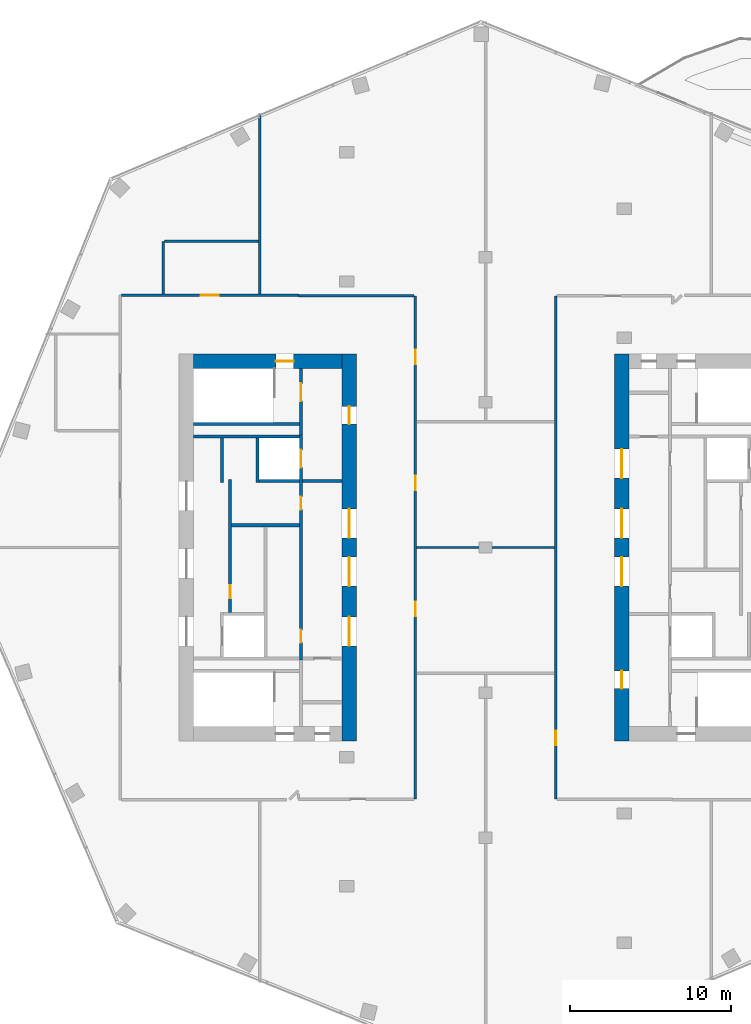
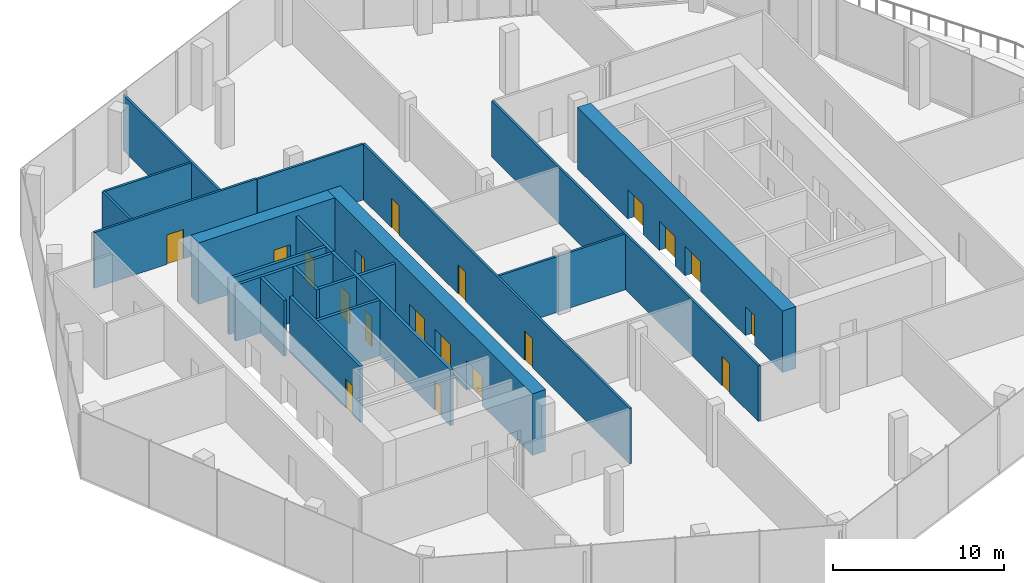
# One storey, part 13 of 15: 21 walls, 19 doors, 19 openings.
"""IFC4 building model written with IfcOpenShell, lengths in metres."""

from ifc_helpers import new_model, si_unit, direction, frame, frame_2d, origin, place, context, subcontext, project, spatial, rectangle, extrude, material, layer, layer_set, type_object, element, fill, save


model = new_model("IFC4")

# Units and contexts
model_context = context("Model", 3, precision=1e-05, world=origin(), true_north=direction((0.0, 1.0)))
body_context = subcontext(model_context, "Body", "Model", "MODEL_VIEW")
ifc_project = project(units=[si_unit("LENGTHUNIT", "METRE"), si_unit("AREAUNIT", "SQUARE_METRE"), si_unit("VOLUMEUNIT", "CUBIC_METRE"), si_unit("PLANEANGLEUNIT", "RADIAN"), si_unit("MASSUNIT", "GRAM", prefix="KILO")], contexts=[model_context])

# Site, building, storey
site_placement = place(None, origin())
site = spatial("IfcSite", under=ifc_project, at=site_placement, CompositionType="ELEMENT")
building_placement = place(site_placement, origin())
building = spatial("IfcBuilding", under=site, at=building_placement, Name="Orlundy Tower", CompositionType="ELEMENT")
storey_placement = place(building_placement, frame((0.0, 0.0, 299.89990234375)))
storey = spatial("IfcBuildingStorey", under=building, at=storey_placement, Name="L80", CompositionType="ELEMENT", Elevation=299.89990234375)

# Wall, opening, door
ifc_material_1 = material(Name="Concrete C50/60", Category="concrete")
ifc_layer_1 = layer(ifc_material_1, 0.89990234375)
ifc_layer_set_1 = layer_set([ifc_layer_1], Name="CORE WALL 900 C50/60")
wall_type_1 = type_object("IfcWallType", Name="CORE WALL 900 C50/60", PredefinedType="SHEAR", material=ifc_layer_set_1)
wall_1_placement = place(storey_placement, frame((-18.10009765625, 11.550048828125, 0.0), z_axis=(0.0, 0.0, 1.0), x_axis=(1.0, 0.0, 0.0)))
wall_1 = element("IfcWall", 1, at=wall_1_placement, inside=storey, type_object=wall_type_1, Name="Core wall W-N L80", PredefinedType="SHEAR", context=body_context, shape_type="SweptSolid", body=[
    extrude(rectangle(XDim=9.2001953125, YDim=0.89990234375, at=frame_2d((4.60009765625, 0.0))), origin(), (0.0, 0.0, 1.0), 4.400146484375),
])
opening_1_placement = place(wall_1_placement, frame((5.10009765625, 0.0, 0.0)))
opening_1 = element("IfcOpeningElement", 2, at=opening_1_placement, cuts=wall_1, Name="Opening 62013", PredefinedType="OPENING", context=body_context, shape_type="SweptSolid", body=[
    extrude(rectangle(XDim=1.10009765625, YDim=2.10009765625, at=frame_2d((0.550048828125, 1.050048828125))), frame((0.0, 0.4599609375, 0.0), z_axis=(0.0, -1.0, 0.0), x_axis=(1.0, 0.0, 0.0)), (0.0, 0.0, 1.0), 0.919921875),
])
ifc_material_2 = material(Name="Steel door set", Category="steel")
door_type_1 = type_object("IfcDoorType", Name="Stair Door 1100x2100", OperationType="SINGLE_SWING_LEFT", PredefinedType="DOOR", material=ifc_material_2)
door_1_placement = place(opening_1_placement, origin())
door_1 = element("IfcDoor", 3, at=door_1_placement, inside=storey, type_object=door_type_1, Name="Stair door 62013", OperationType="SINGLE_SWING_RIGHT", OverallHeight=2.10009765625, OverallWidth=1.10009765625, PredefinedType="DOOR", context=body_context, shape_type="SweptSolid", body=[
    extrude(rectangle(XDim=1.10009765625, YDim=2.10009765625, at=frame_2d((0.550048828125, 1.050048828125))), frame((0.0, 0.02490234375, 0.0), z_axis=(0.0, -1.0, 0.0), x_axis=(1.0, 0.0, 0.0)), (0.0, 0.0, 1.0), 0.050048828125),
])
fill(opening_1, door_1)

# Wall, openings, doors
wall_2_placement = place(storey_placement, frame((-8.449951171875, -12.0, 0.0), z_axis=(0.0, 0.0, 1.0), x_axis=(0.0, 1.0, 0.0)))
wall_2 = element("IfcWall", 4, at=wall_2_placement, inside=storey, type_object=wall_type_1, Name="Core wall W-E L80", PredefinedType="SHEAR", context=body_context, shape_type="SweptSolid", body=[
    extrude(rectangle(XDim=24.0, YDim=0.89990234375, at=frame_2d((12.0, 0.0))), origin(), (0.0, 0.0, 1.0), 4.400146484375),
])
opening_2_placement = place(wall_2_placement, frame((9.60009765625, 0.0, 0.0)))
opening_2 = element("IfcOpeningElement", 5, at=opening_2_placement, cuts=wall_2, Name="Opening 62006", PredefinedType="OPENING", context=body_context, shape_type="SweptSolid", body=[
    extrude(rectangle(XDim=1.800048828125, YDim=2.10009765625, at=frame_2d((0.89990234375, 1.050048828125))), frame((0.0, 0.4599609375, 0.0), z_axis=(0.0, -1.0, 0.0), x_axis=(1.0, 0.0, 0.0)), (0.0, 0.0, 1.0), 0.919921875),
])
opening_3_placement = place(wall_2_placement, frame((5.89990234375, 0.0, 0.0)))
opening_3 = element("IfcOpeningElement", 6, at=opening_3_placement, cuts=wall_2, Name="Opening 62010", PredefinedType="OPENING", context=body_context, shape_type="SweptSolid", body=[
    extrude(rectangle(XDim=1.800048828125, YDim=2.10009765625, at=frame_2d((0.89990234375, 1.050048828125))), frame((0.0, 0.4599609375, 0.0), z_axis=(0.0, -1.0, 0.0), x_axis=(1.0, 0.0, 0.0)), (0.0, 0.0, 1.0), 0.919921875),
])
opening_4_placement = place(wall_2_placement, frame((12.60009765625, 0.0, 0.0)))
opening_4 = element("IfcOpeningElement", 7, at=opening_4_placement, cuts=wall_2, Name="Opening 62011", PredefinedType="OPENING", context=body_context, shape_type="SweptSolid", body=[
    extrude(rectangle(XDim=1.800048828125, YDim=2.10009765625, at=frame_2d((0.89990234375, 1.050048828125))), frame((0.0, 0.4599609375, 0.0), z_axis=(0.0, -1.0, 0.0), x_axis=(1.0, 0.0, 0.0)), (0.0, 0.0, 1.0), 0.919921875),
])
opening_5_placement = place(wall_2_placement, frame((19.64990234375, 0.0, 0.0)))
opening_5 = element("IfcOpeningElement", 8, at=opening_5_placement, cuts=wall_2, Name="Opening 62012", PredefinedType="OPENING", context=body_context, shape_type="SweptSolid", body=[
    extrude(rectangle(XDim=1.10009765625, YDim=2.10009765625, at=frame_2d((0.550048828125, 1.050048828125))), frame((0.0, 0.4599609375, 0.0), z_axis=(0.0, -1.0, 0.0), x_axis=(1.0, 0.0, 0.0)), (0.0, 0.0, 1.0), 0.919921875),
])
ifc_material_3 = material(Name="Steel door set", Category="steel")
door_type_2 = type_object("IfcDoorType", Name="Fire-fighting Lobby Door 1100x2100", OperationType="SINGLE_SWING_LEFT", PredefinedType="DOOR", material=ifc_material_3)
door_2_placement = place(opening_5_placement, origin())
door_2 = element("IfcDoor", 9, at=door_2_placement, inside=storey, type_object=door_type_2, Name="Fire-fighting lobby door 62012", OperationType="SINGLE_SWING_RIGHT", OverallHeight=2.10009765625, OverallWidth=1.10009765625, PredefinedType="DOOR", context=body_context, shape_type="SweptSolid", body=[
    extrude(rectangle(XDim=1.10009765625, YDim=2.10009765625, at=frame_2d((0.550048828125, 1.050048828125))), frame((0.0, 0.02490234375, 0.0), z_axis=(0.0, -1.0, 0.0), x_axis=(1.0, 0.0, 0.0)), (0.0, 0.0, 1.0), 0.050048828125),
])
fill(opening_5, door_2)
ifc_material_4 = material(Name="Timber door set", Category="wood")
door_type_3 = type_object("IfcDoorType", Name="Lobby Door 1800x2100", OperationType="DOUBLE_DOOR_DOUBLE_SWING", PredefinedType="DOOR", material=ifc_material_4)
door_3_placement = place(opening_2_placement, origin())
door_3 = element("IfcDoor", 10, at=door_3_placement, inside=storey, type_object=door_type_3, Name="Lift lobby door 62006", OperationType="SINGLE_SWING_LEFT", OverallHeight=2.10009765625, OverallWidth=1.800048828125, PredefinedType="DOOR", context=body_context, shape_type="SweptSolid", body=[
    extrude(rectangle(XDim=1.800048828125, YDim=2.10009765625, at=frame_2d((0.89990234375, 1.050048828125))), frame((0.0, 0.02490234375, 0.0), z_axis=(0.0, -1.0, 0.0), x_axis=(1.0, 0.0, 0.0)), (0.0, 0.0, 1.0), 0.050048828125),
])
fill(opening_2, door_3)
door_4_placement = place(opening_3_placement, origin())
door_4 = element("IfcDoor", 11, at=door_4_placement, inside=storey, type_object=door_type_3, Name="Lift lobby door 62010", OperationType="SINGLE_SWING_LEFT", OverallHeight=2.10009765625, OverallWidth=1.800048828125, PredefinedType="DOOR", context=body_context, shape_type="SweptSolid", body=[
    extrude(rectangle(XDim=1.800048828125, YDim=2.10009765625, at=frame_2d((0.89990234375, 1.050048828125))), frame((0.0, 0.02490234375, 0.0), z_axis=(0.0, -1.0, 0.0), x_axis=(1.0, 0.0, 0.0)), (0.0, 0.0, 1.0), 0.050048828125),
])
fill(opening_3, door_4)
door_5_placement = place(opening_4_placement, origin())
door_5 = element("IfcDoor", 12, at=door_5_placement, inside=storey, type_object=door_type_3, Name="Lift lobby door 62011", OperationType="SINGLE_SWING_RIGHT", OverallHeight=2.10009765625, OverallWidth=1.800048828125, PredefinedType="DOOR", context=body_context, shape_type="SweptSolid", body=[
    extrude(rectangle(XDim=1.800048828125, YDim=2.10009765625, at=frame_2d((0.89990234375, 1.050048828125))), frame((0.0, 0.02490234375, 0.0), z_axis=(0.0, -1.0, 0.0), x_axis=(1.0, 0.0, 0.0)), (0.0, 0.0, 1.0), 0.050048828125),
])
fill(opening_4, door_5)

wall_3_placement = place(storey_placement, frame((8.449951171875, -12.0, 0.0), z_axis=(0.0, 0.0, 1.0), x_axis=(0.0, 1.0, 0.0)))
wall_3 = element("IfcWall", 13, at=wall_3_placement, inside=storey, type_object=wall_type_1, Name="Core wall E-W L80", PredefinedType="SHEAR", context=body_context, shape_type="SweptSolid", body=[
    extrude(rectangle(XDim=24.0, YDim=0.89990234375, at=frame_2d((12.0, 0.0))), origin(), (0.0, 0.0, 1.0), 4.400146484375),
])
opening_6_placement = place(wall_3_placement, frame((12.60009765625, 0.0, 0.0)))
opening_6 = element("IfcOpeningElement", 14, at=opening_6_placement, cuts=wall_3, Name="Opening 62055", PredefinedType="OPENING", context=body_context, shape_type="SweptSolid", body=[
    extrude(rectangle(XDim=1.800048828125, YDim=2.10009765625, at=frame_2d((0.89990234375, 1.050048828125))), frame((0.0, 0.4599609375, 0.0), z_axis=(0.0, -1.0, 0.0), x_axis=(1.0, 0.0, 0.0)), (0.0, 0.0, 1.0), 0.919921875),
])
opening_7_placement = place(wall_3_placement, frame((16.300048828125, 0.0, 0.0)))
opening_7 = element("IfcOpeningElement", 15, at=opening_7_placement, cuts=wall_3, Name="Opening 62059", PredefinedType="OPENING", context=body_context, shape_type="SweptSolid", body=[
    extrude(rectangle(XDim=1.800048828125, YDim=2.10009765625, at=frame_2d((0.89990234375, 1.050048828125))), frame((0.0, 0.4599609375, 0.0), z_axis=(0.0, -1.0, 0.0), x_axis=(1.0, 0.0, 0.0)), (0.0, 0.0, 1.0), 0.919921875),
])
opening_8_placement = place(wall_3_placement, frame((9.60009765625, 0.0, 0.0)))
opening_8 = element("IfcOpeningElement", 16, at=opening_8_placement, cuts=wall_3, Name="Opening 62060", PredefinedType="OPENING", context=body_context, shape_type="SweptSolid", body=[
    extrude(rectangle(XDim=1.800048828125, YDim=2.10009765625, at=frame_2d((0.89990234375, 1.050048828125))), frame((0.0, 0.4599609375, 0.0), z_axis=(0.0, -1.0, 0.0), x_axis=(1.0, 0.0, 0.0)), (0.0, 0.0, 1.0), 0.919921875),
])
opening_9_placement = place(wall_3_placement, frame((3.25, 0.0, 0.0)))
opening_9 = element("IfcOpeningElement", 17, at=opening_9_placement, cuts=wall_3, Name="Opening 62061", PredefinedType="OPENING", context=body_context, shape_type="SweptSolid", body=[
    extrude(rectangle(XDim=1.10009765625, YDim=2.10009765625, at=frame_2d((0.550048828125, 1.050048828125))), frame((0.0, 0.4599609375, 0.0), z_axis=(0.0, -1.0, 0.0), x_axis=(1.0, 0.0, 0.0)), (0.0, 0.0, 1.0), 0.919921875),
])
door_6_placement = place(opening_9_placement, origin())
door_6 = element("IfcDoor", 18, at=door_6_placement, inside=storey, type_object=door_type_2, Name="Fire-fighting lobby door 62061", OperationType="SINGLE_SWING_LEFT", OverallHeight=2.10009765625, OverallWidth=1.10009765625, PredefinedType="DOOR", context=body_context, shape_type="SweptSolid", body=[
    extrude(rectangle(XDim=1.10009765625, YDim=2.10009765625, at=frame_2d((0.550048828125, 1.050048828125))), frame((0.0, 0.02490234375, 0.0), z_axis=(0.0, -1.0, 0.0), x_axis=(1.0, 0.0, 0.0)), (0.0, 0.0, 1.0), 0.050048828125),
])
fill(opening_9, door_6)
door_7_placement = place(opening_6_placement, origin())
door_7 = element("IfcDoor", 19, at=door_7_placement, inside=storey, type_object=door_type_3, Name="Lift lobby door 62055", OperationType="SINGLE_SWING_RIGHT", OverallHeight=2.10009765625, OverallWidth=1.800048828125, PredefinedType="DOOR", context=body_context, shape_type="SweptSolid", body=[
    extrude(rectangle(XDim=1.800048828125, YDim=2.10009765625, at=frame_2d((0.89990234375, 1.050048828125))), frame((0.0, 0.02490234375, 0.0), z_axis=(0.0, -1.0, 0.0), x_axis=(1.0, 0.0, 0.0)), (0.0, 0.0, 1.0), 0.050048828125),
])
fill(opening_6, door_7)
door_8_placement = place(opening_7_placement, origin())
door_8 = element("IfcDoor", 20, at=door_8_placement, inside=storey, type_object=door_type_3, Name="Lift lobby door 62059", OperationType="SINGLE_SWING_RIGHT", OverallHeight=2.10009765625, OverallWidth=1.800048828125, PredefinedType="DOOR", context=body_context, shape_type="SweptSolid", body=[
    extrude(rectangle(XDim=1.800048828125, YDim=2.10009765625, at=frame_2d((0.89990234375, 1.050048828125))), frame((0.0, 0.02490234375, 0.0), z_axis=(0.0, -1.0, 0.0), x_axis=(1.0, 0.0, 0.0)), (0.0, 0.0, 1.0), 0.050048828125),
])
fill(opening_7, door_8)
door_9_placement = place(opening_8_placement, origin())
door_9 = element("IfcDoor", 21, at=door_9_placement, inside=storey, type_object=door_type_3, Name="Lift lobby door 62060", OperationType="SINGLE_SWING_LEFT", OverallHeight=2.10009765625, OverallWidth=1.800048828125, PredefinedType="DOOR", context=body_context, shape_type="SweptSolid", body=[
    extrude(rectangle(XDim=1.800048828125, YDim=2.10009765625, at=frame_2d((0.89990234375, 1.050048828125))), frame((0.0, 0.02490234375, 0.0), z_axis=(0.0, -1.0, 0.0), x_axis=(1.0, 0.0, 0.0)), (0.0, 0.0, 1.0), 0.050048828125),
])
fill(opening_8, door_9)

# Walls
ifc_material_5 = material(Name="Blockwork shaft wall", Category="masonry")
ifc_layer_2 = layer(ifc_material_5, 0.14990234375)
ifc_layer_set_2 = layer_set([ifc_layer_2], Name="Floor shaft wall 150")
wall_type_2 = type_object("IfcWallType", Name="Floor shaft wall 150", PredefinedType="PARTITIONING", material=ifc_layer_set_2)
wall_4_placement = place(storey_placement, frame((-4.27392578125, 0.0, 0.0), z_axis=(0.0, 0.0, 1.0), x_axis=(1.0, 0.0, 0.0)))
element("IfcWall", 22, at=wall_4_placement, inside=storey, type_object=wall_type_2, Name="wall-int-L80-008", PredefinedType="PARTITIONING", context=body_context, shape_type="SweptSolid", body=[
    extrude(rectangle(XDim=8.548828125, YDim=0.14990234375, at=frame_2d((4.2744140625, 0.0))), origin(), (0.0, 0.0, 1.0), 3.97998046875),
])
wall_5_placement = place(storey_placement, frame((-11.590087890625, 15.60107421875, 0.0), z_axis=(0.0, 0.0, 1.0), x_axis=(1.0, 0.0, 0.0)))
element("IfcWall", 23, at=wall_5_placement, inside=storey, type_object=wall_type_2, Name="wall-int-L80-013", PredefinedType="PARTITIONING", context=body_context, shape_type="SweptSolid", body=[
    extrude(rectangle(XDim=7.1650390625, YDim=0.14990234375, at=frame_2d((3.58251953125, 0.0))), origin(), (0.0, 0.0, 1.0), 3.97998046875),
])

# Wall, opening, door
wall_6_placement = place(storey_placement, frame((-22.574951171875, 15.65087890625, 0.0), z_axis=(0.0, 0.0, 1.0), x_axis=(1.0, 0.0, 0.0)))
wall_6 = element("IfcWall", 24, at=wall_6_placement, inside=storey, type_object=wall_type_2, Name="wall-int-L80-015", PredefinedType="PARTITIONING", context=body_context, shape_type="SweptSolid", body=[
    extrude(rectangle(XDim=10.98388671875, YDim=0.14990234375, at=frame_2d((5.491943359375, 0.0))), origin(), (0.0, 0.0, 1.0), 3.97998046875),
])
opening_10_placement = place(wall_6_placement, frame((4.926025390625, 0.0, 0.0)))
opening_10 = element("IfcOpeningElement", 25, at=opening_10_placement, cuts=wall_6, Name="Opening 62111", PredefinedType="OPENING", context=body_context, shape_type="SweptSolid", body=[
    extrude(rectangle(XDim=1.10009765625, YDim=2.10009765625, at=frame_2d((0.550048828125, 1.050048828125))), frame((0.0, 0.0849609375, 0.0), z_axis=(0.0, -1.0, 0.0), x_axis=(1.0, 0.0, 0.0)), (0.0, 0.0, 1.0), 0.169921875),
])
ifc_material_6 = material(Name="Timber door leaf", Category="wood")
door_type_4 = type_object("IfcDoorType", Name="Floor door xwide 1100 FD60", OperationType="NOTDEFINED", PredefinedType="DOOR", material=ifc_material_6)
door_10_placement = place(opening_10_placement, origin())
door_10 = element("IfcDoor", 26, at=door_10_placement, inside=storey, type_object=door_type_4, Name="Door 62111", OperationType="SINGLE_SWING_LEFT", OverallHeight=2.10009765625, OverallWidth=1.10009765625, PredefinedType="DOOR", context=body_context, shape_type="SweptSolid", body=[
    extrude(rectangle(XDim=1.10009765625, YDim=2.10009765625, at=frame_2d((0.550048828125, 1.050048828125))), frame((0.0, 0.02490234375, 0.0), z_axis=(0.0, -1.0, 0.0), x_axis=(1.0, 0.0, 0.0)), (0.0, 0.0, 1.0), 0.050048828125),
])
fill(opening_10, door_10)

# Wall
wall_7_placement = place(storey_placement, frame((-19.924072265625, 18.98291015625, 0.0), z_axis=(0.0, 0.0, 1.0), x_axis=(1.0, 0.0, 0.0)))
element("IfcWall", 27, at=wall_7_placement, inside=storey, type_object=wall_type_2, Name="wall-int-L80-017", PredefinedType="PARTITIONING", context=body_context, shape_type="SweptSolid", body=[
    extrude(rectangle(XDim=5.84912109375, YDim=0.14990234375, at=frame_2d((2.924560546875, 0.0))), origin(), (0.0, 0.0, 1.0), 3.97998046875),
])

# Wall, opening, door
wall_8_placement = place(storey_placement, frame((4.35009765625, -15.60009765625, 0.0), z_axis=(0.0, 0.0, 1.0), x_axis=(0.0, 1.0, 0.0)))
wall_8 = element("IfcWall", 28, at=wall_8_placement, inside=storey, type_object=wall_type_2, Name="wall-int-L80-024", PredefinedType="PARTITIONING", context=body_context, shape_type="SweptSolid", body=[
    extrude(rectangle(XDim=31.201171875, YDim=0.14990234375, at=frame_2d((15.6005859375, 0.0))), origin(), (0.0, 0.0, 1.0), 3.97998046875),
])
opening_11_placement = place(wall_8_placement, frame((3.35009765625, 0.0, 0.0)))
opening_11 = element("IfcOpeningElement", 29, at=opening_11_placement, cuts=wall_8, Name="Opening 62103", PredefinedType="OPENING", context=body_context, shape_type="SweptSolid", body=[
    extrude(rectangle(XDim=0.89990234375, YDim=2.10009765625, at=frame_2d((0.449951171875, 1.050048828125))), frame((0.0, 0.0849609375, 0.0), z_axis=(0.0, -1.0, 0.0), x_axis=(1.0, 0.0, 0.0)), (0.0, 0.0, 1.0), 0.169921875),
])
ifc_material_7 = material(Name="Timber door leaf", Category="wood")
door_type_5 = type_object("IfcDoorType", Name="Floor door single 900 FD60", OperationType="NOTDEFINED", PredefinedType="DOOR", material=ifc_material_7)
door_11_placement = place(opening_11_placement, origin())
door_11 = element("IfcDoor", 30, at=door_11_placement, inside=storey, type_object=door_type_5, Name="Door 62103", OperationType="SINGLE_SWING_LEFT", OverallHeight=2.10009765625, OverallWidth=0.89990234375, PredefinedType="DOOR", context=body_context, shape_type="SweptSolid", body=[
    extrude(rectangle(XDim=0.89990234375, YDim=2.10009765625, at=frame_2d((0.449951171875, 1.050048828125))), frame((0.0, 0.02490234375, 0.0), z_axis=(0.0, -1.0, 0.0), x_axis=(1.0, 0.0, 0.0)), (0.0, 0.0, 1.0), 0.050048828125),
])
fill(opening_11, door_11)

# Wall, openings, doors
wall_9_placement = place(storey_placement, frame((-4.34912109375, 15.60009765625, 0.0), z_axis=(0.0, 0.0, 1.0), x_axis=(0.0, -1.0, 0.0)))
wall_9 = element("IfcWall", 31, at=wall_9_placement, inside=storey, type_object=wall_type_2, Name="wall-int-L80-027", PredefinedType="PARTITIONING", context=body_context, shape_type="SweptSolid", body=[
    extrude(rectangle(XDim=31.2001953125, YDim=0.14990234375, at=frame_2d((15.60009765625, 0.0))), origin(), (0.0, 0.0, 1.0), 3.97998046875),
])
opening_12_placement = place(wall_9_placement, frame((18.949951171875, 0.0, 0.0)))
opening_12 = element("IfcOpeningElement", 32, at=opening_12_placement, cuts=wall_9, Name="Opening 62102", PredefinedType="OPENING", context=body_context, shape_type="SweptSolid", body=[
    extrude(rectangle(XDim=0.89990234375, YDim=2.10009765625, at=frame_2d((0.449951171875, 1.050048828125))), frame((0.0, 0.0849609375, 0.0), z_axis=(0.0, -1.0, 0.0), x_axis=(1.0, 0.0, 0.0)), (0.0, 0.0, 1.0), 0.169921875),
])
opening_13_placement = place(wall_9_placement, frame((11.15087890625, 0.0, 0.0)))
opening_13 = element("IfcOpeningElement", 33, at=opening_13_placement, cuts=wall_9, Name="Opening 62107", PredefinedType="OPENING", context=body_context, shape_type="SweptSolid", body=[
    extrude(rectangle(XDim=0.89990234375, YDim=2.10009765625, at=frame_2d((0.449951171875, 1.050048828125))), frame((0.0, 0.0849609375, 0.0), z_axis=(0.0, -1.0, 0.0), x_axis=(1.0, 0.0, 0.0)), (0.0, 0.0, 1.0), 0.169921875),
])
opening_14_placement = place(wall_9_placement, frame((3.35009765625, 0.0, 0.0)))
opening_14 = element("IfcOpeningElement", 34, at=opening_14_placement, cuts=wall_9, Name="Opening 62108", PredefinedType="OPENING", context=body_context, shape_type="SweptSolid", body=[
    extrude(rectangle(XDim=0.89990234375, YDim=2.10009765625, at=frame_2d((0.449951171875, 1.050048828125))), frame((0.0, 0.0849609375, 0.0), z_axis=(0.0, -1.0, 0.0), x_axis=(1.0, 0.0, 0.0)), (0.0, 0.0, 1.0), 0.169921875),
])
door_12_placement = place(opening_12_placement, origin())
door_12 = element("IfcDoor", 35, at=door_12_placement, inside=storey, type_object=door_type_5, Name="Door 62102", OperationType="SINGLE_SWING_RIGHT", OverallHeight=2.10009765625, OverallWidth=0.89990234375, PredefinedType="DOOR", context=body_context, shape_type="SweptSolid", body=[
    extrude(rectangle(XDim=0.89990234375, YDim=2.10009765625, at=frame_2d((0.449951171875, 1.050048828125))), frame((0.0, 0.02490234375, 0.0), z_axis=(0.0, -1.0, 0.0), x_axis=(1.0, 0.0, 0.0)), (0.0, 0.0, 1.0), 0.050048828125),
])
fill(opening_12, door_12)
door_13_placement = place(opening_13_placement, origin())
door_13 = element("IfcDoor", 36, at=door_13_placement, inside=storey, type_object=door_type_5, Name="Door 62107", OperationType="SINGLE_SWING_LEFT", OverallHeight=2.10009765625, OverallWidth=0.89990234375, PredefinedType="DOOR", context=body_context, shape_type="SweptSolid", body=[
    extrude(rectangle(XDim=0.89990234375, YDim=2.10009765625, at=frame_2d((0.449951171875, 1.050048828125))), frame((0.0, 0.02490234375, 0.0), z_axis=(0.0, -1.0, 0.0), x_axis=(1.0, 0.0, 0.0)), (0.0, 0.0, 1.0), 0.050048828125),
])
fill(opening_13, door_13)
door_14_placement = place(opening_14_placement, origin())
door_14 = element("IfcDoor", 37, at=door_14_placement, inside=storey, type_object=door_type_5, Name="Door 62108", OperationType="SINGLE_SWING_LEFT", OverallHeight=2.10009765625, OverallWidth=0.89990234375, PredefinedType="DOOR", context=body_context, shape_type="SweptSolid", body=[
    extrude(rectangle(XDim=0.89990234375, YDim=2.10009765625, at=frame_2d((0.449951171875, 1.050048828125))), frame((0.0, 0.02490234375, 0.0), z_axis=(0.0, -1.0, 0.0), x_axis=(1.0, 0.0, 0.0)), (0.0, 0.0, 1.0), 0.050048828125),
])
fill(opening_14, door_14)

# Walls
wall_10_placement = place(storey_placement, frame((-14.0, 15.72607421875, 0.0), z_axis=(0.0, 0.0, 1.0), x_axis=(0.0, 1.0, 0.0)))
element("IfcWall", 38, at=wall_10_placement, inside=storey, type_object=wall_type_2, Name="wall-int-L80-029", PredefinedType="PARTITIONING", context=body_context, shape_type="SweptSolid", body=[
    extrude(rectangle(XDim=11.19384765625, YDim=0.14990234375, at=frame_2d((5.596923828125, 0.0))), origin(), (0.0, 0.0, 1.0), 3.97998046875),
])
wall_11_placement = place(storey_placement, frame((-19.9990234375, 15.72607421875, 0.0), z_axis=(0.0, 0.0, 1.0), x_axis=(0.0, 1.0, 0.0)))
element("IfcWall", 39, at=wall_11_placement, inside=storey, type_object=wall_type_2, Name="wall-int-L80-030", PredefinedType="PARTITIONING", context=body_context, shape_type="SweptSolid", body=[
    extrude(rectangle(XDim=3.2568359375, YDim=0.14990234375, at=frame_2d((1.62841796875, 0.0))), origin(), (0.0, 0.0, 1.0), 3.97998046875),
])

# Wall, opening, door
ifc_material_8 = material(Name="Concrete C40/50", Category="concrete")
ifc_layer_3 = layer(ifc_material_8, 0.199951171875)
ifc_layer_set_3 = layer_set([ifc_layer_3], Name="Load-bearing Shaft Wall 200")
wall_type_3 = type_object("IfcWallType", Name="Load-bearing Shaft Wall 200", PredefinedType="SOLIDWALL", material=ifc_layer_set_3)
wall_12_placement = place(storey_placement, frame((-11.43994140625, 6.97509765625, 0.0), z_axis=(0.0, 0.0, 1.0), x_axis=(0.0, 1.0, 0.0)))
wall_12 = element("IfcWall", 40, at=wall_12_placement, inside=storey, type_object=wall_type_3, Name="Shaft wall W62-stair-end-n", PredefinedType="SOLIDWALL", context=body_context, shape_type="SweptSolid", body=[
    extrude(rectangle(XDim=4.125, YDim=0.199951171875, at=frame_2d((2.0625, 0.0))), origin(), (0.0, 0.0, 1.0), 3.97998046875),
])
opening_15_placement = place(wall_12_placement, frame((2.10009765625, 0.0, 0.0)))
opening_15 = element("IfcOpeningElement", 41, at=opening_15_placement, cuts=wall_12, Name="Opening 62015", PredefinedType="OPENING", context=body_context, shape_type="SweptSolid", body=[
    extrude(rectangle(XDim=1.10009765625, YDim=2.10009765625, at=frame_2d((0.550048828125, 1.050048828125))), frame((0.0, 0.110107421875, 0.0), z_axis=(0.0, -1.0, 0.0), x_axis=(1.0, 0.0, 0.0)), (0.0, 0.0, 1.0), 0.22021484375),
])
door_15_placement = place(opening_15_placement, origin())
door_15 = element("IfcDoor", 42, at=door_15_placement, inside=storey, type_object=door_type_2, Name="Fire-fighting lobby to stair door 62015", OperationType="SINGLE_SWING_RIGHT", OverallHeight=2.10009765625, OverallWidth=1.10009765625, PredefinedType="DOOR", context=body_context, shape_type="SweptSolid", body=[
    extrude(rectangle(XDim=1.10009765625, YDim=2.10009765625, at=frame_2d((0.550048828125, 1.050048828125))), frame((0.0, 0.02490234375, 0.0), z_axis=(0.0, -1.0, 0.0), x_axis=(1.0, 0.0, 0.0)), (0.0, 0.0, 1.0), 0.050048828125),
])
fill(opening_15, door_15)

# Walls
wall_13_placement = place(storey_placement, frame((-11.5400390625, 7.64990234375, 0.0), z_axis=(0.0, 0.0, 1.0), x_axis=(-1.0, 0.0, 0.0)))
element("IfcWall", 43, at=wall_13_placement, inside=storey, type_object=wall_type_3, Name="Shaft wall W62-stair-side-n", PredefinedType="SOLIDWALL", context=body_context, shape_type="SweptSolid", body=[
    extrude(rectangle(XDim=6.56005859375, YDim=0.199951171875, at=frame_2d((3.280029296875, 0.0))), origin(), (0.0, 0.0, 1.0), 3.97998046875),
])
ifc_material_9 = material(Name="Gypsum board partition on steel studs", Category="steel")
ifc_layer_4 = layer(ifc_material_9, 0.199951171875)
ifc_layer_set_4 = layer_set([ifc_layer_4], Name="Partition 200")
wall_type_4 = type_object("IfcWallType", Name="Partition 200", PredefinedType="PARTITIONING", material=ifc_layer_set_4)
wall_14_placement = place(storey_placement, frame((-8.89990234375, 4.125, 0.0), z_axis=(0.0, 0.0, 1.0), x_axis=(-1.0, 0.0, 0.0)))
element("IfcWall", 44, at=wall_14_placement, inside=storey, type_object=wall_type_4, Name="Partition wall W62-lobby-n", PredefinedType="PARTITIONING", context=body_context, shape_type="SweptSolid", body=[
    extrude(rectangle(XDim=2.440185546875, YDim=0.199951171875, at=frame_2d((1.22021484375, 0.0))), origin(), (0.0, 0.0, 1.0), 3.97998046875),
])
ifc_material_10 = material(Name="Fire-rated blockwork shaft wall", Category="masonry")
ifc_layer_5 = layer(ifc_material_10, 0.199951171875)
ifc_layer_set_5 = layer_set([ifc_layer_5], Name="Shaft Wall 200")
wall_type_5 = type_object("IfcWallType", Name="Shaft Wall 200", PredefinedType="SOLIDWALL", material=ifc_layer_set_5)
wall_15_placement = place(storey_placement, frame((-11.5400390625, 6.875, 0.0), z_axis=(0.0, 0.0, 1.0), x_axis=(-1.0, 0.0, 0.0)))
element("IfcWall", 45, at=wall_15_placement, inside=storey, type_object=wall_type_5, Name="Shaft wall W62-zone-n", PredefinedType="SOLIDWALL", context=body_context, shape_type="SweptSolid", body=[
    extrude(rectangle(XDim=6.56005859375, YDim=0.199951171875, at=frame_2d((3.280029296875, 0.0))), origin(), (0.0, 0.0, 1.0), 3.97998046875),
])
wall_16_placement = place(storey_placement, frame((-11.5400390625, 1.375, 0.0), z_axis=(0.0, 0.0, 1.0), x_axis=(-1.0, 0.0, 0.0)))
element("IfcWall", 46, at=wall_16_placement, inside=storey, type_object=wall_type_5, Name="Shaft wall W62-cross+1.375", PredefinedType="SOLIDWALL", context=body_context, shape_type="SweptSolid", body=[
    extrude(rectangle(XDim=4.199951171875, YDim=0.199951171875, at=frame_2d((2.10009765625, 0.0))), origin(), (0.0, 0.0, 1.0), 3.97998046875),
])
wall_17_placement = place(storey_placement, frame((-11.5400390625, 4.125, 0.0), z_axis=(0.0, 0.0, 1.0), x_axis=(-1.0, 0.0, 0.0)))
element("IfcWall", 47, at=wall_17_placement, inside=storey, type_object=wall_type_5, Name="Shaft wall W62-cross+4.125", PredefinedType="SOLIDWALL", context=body_context, shape_type="SweptSolid", body=[
    extrude(rectangle(XDim=2.5, YDim=0.199951171875, at=frame_2d((1.25, 0.0))), origin(), (0.0, 0.0, 1.0), 3.97998046875),
])

# Wall, openings, doors
wall_18_placement = place(storey_placement, frame((-11.43994140625, -6.97509765625, 0.0), z_axis=(0.0, 0.0, 1.0), x_axis=(0.0, 1.0, 0.0)))
wall_18 = element("IfcWall", 48, at=wall_18_placement, inside=storey, type_object=wall_type_5, Name="Shaft wall W62-front-h", PredefinedType="SOLIDWALL", context=body_context, shape_type="SweptSolid", body=[
    extrude(rectangle(XDim=13.9501953125, YDim=0.199951171875, at=frame_2d((6.97509765625, 0.0))), origin(), (0.0, 0.0, 1.0), 3.97998046875),
])
opening_16_placement = place(wall_18_placement, frame((11.925048828125, 0.0, 0.0)))
opening_16 = element("IfcOpeningElement", 49, at=opening_16_placement, cuts=wall_18, Name="Opening 62002", PredefinedType="OPENING", context=body_context, shape_type="SweptSolid", body=[
    extrude(rectangle(XDim=1.10009765625, YDim=2.10009765625, at=frame_2d((0.550048828125, 1.050048828125))), frame((0.0, 0.110107421875, 0.0), z_axis=(0.0, -1.0, 0.0), x_axis=(1.0, 0.0, 0.0)), (0.0, 0.0, 1.0), 0.22021484375),
])
opening_17_placement = place(wall_18_placement, frame((1.074951171875, 0.0, 0.0)))
opening_17 = element("IfcOpeningElement", 50, at=opening_17_placement, cuts=wall_18, Name="Opening 62003", PredefinedType="OPENING", context=body_context, shape_type="SweptSolid", body=[
    extrude(rectangle(XDim=0.800048828125, YDim=2.10009765625, at=frame_2d((0.39990234375, 1.050048828125))), frame((0.0, 0.110107421875, 0.0), z_axis=(0.0, -1.0, 0.0), x_axis=(1.0, 0.0, 0.0)), (0.0, 0.0, 1.0), 0.22021484375),
])
opening_18_placement = place(wall_18_placement, frame((9.324951171875, 0.0, 0.0)))
opening_18 = element("IfcOpeningElement", 51, at=opening_18_placement, cuts=wall_18, Name="Opening 62005", PredefinedType="OPENING", context=body_context, shape_type="SweptSolid", body=[
    extrude(rectangle(XDim=0.800048828125, YDim=2.10009765625, at=frame_2d((0.39990234375, 1.050048828125))), frame((0.0, 0.110107421875, 0.0), z_axis=(0.0, -1.0, 0.0), x_axis=(1.0, 0.0, 0.0)), (0.0, 0.0, 1.0), 0.22021484375),
])
ifc_material_11 = material(Name="Steel door set", Category="steel")
door_type_6 = type_object("IfcDoorType", Name="Landing Door 1100x2100", OperationType="DOUBLE_DOOR_SLIDING", PredefinedType="DOOR", material=ifc_material_11)
door_16_placement = place(opening_16_placement, origin())
door_16 = element("IfcDoor", 52, at=door_16_placement, inside=storey, type_object=door_type_6, Name="Lift landing door FL1 62002", OperationType="DOUBLE_DOOR_SLIDING", OverallHeight=2.10009765625, OverallWidth=1.10009765625, PredefinedType="DOOR", context=body_context, shape_type="SweptSolid", body=[
    extrude(rectangle(XDim=1.10009765625, YDim=2.10009765625, at=frame_2d((0.550048828125, 1.050048828125))), frame((0.0, 0.02490234375, 0.0), z_axis=(0.0, -1.0, 0.0), x_axis=(1.0, 0.0, 0.0)), (0.0, 0.0, 1.0), 0.050048828125),
])
fill(opening_16, door_16)
ifc_material_12 = material(Name="Timber door set", Category="wood")
door_type_7 = type_object("IfcDoorType", Name="Riser Door 800x2100", OperationType="SINGLE_SWING_LEFT", PredefinedType="DOOR", material=ifc_material_12)
door_17_placement = place(opening_17_placement, origin())
door_17 = element("IfcDoor", 53, at=door_17_placement, inside=storey, type_object=door_type_7, Name="Telecom Room door 62003", OperationType="SINGLE_SWING_LEFT", OverallHeight=2.10009765625, OverallWidth=0.800048828125, PredefinedType="DOOR", context=body_context, shape_type="SweptSolid", body=[
    extrude(rectangle(XDim=0.800048828125, YDim=2.10009765625, at=frame_2d((0.39990234375, 1.050048828125))), frame((0.0, 0.02490234375, 0.0), z_axis=(0.0, -1.0, 0.0), x_axis=(1.0, 0.0, 0.0)), (0.0, 0.0, 1.0), 0.050048828125),
])
fill(opening_17, door_17)
door_18_placement = place(opening_18_placement, origin())
door_18 = element("IfcDoor", 54, at=door_18_placement, inside=storey, type_object=door_type_7, Name="Cleaner's Store door 62005", OperationType="SINGLE_SWING_LEFT", OverallHeight=2.10009765625, OverallWidth=0.800048828125, PredefinedType="DOOR", context=body_context, shape_type="SweptSolid", body=[
    extrude(rectangle(XDim=0.800048828125, YDim=2.10009765625, at=frame_2d((0.39990234375, 1.050048828125))), frame((0.0, 0.02490234375, 0.0), z_axis=(0.0, -1.0, 0.0), x_axis=(1.0, 0.0, 0.0)), (0.0, 0.0, 1.0), 0.050048828125),
])
fill(opening_18, door_18)

# Wall
wall_19_placement = place(storey_placement, frame((-14.139892578125, 4.02490234375, 0.0), z_axis=(0.0, 0.0, 1.0), x_axis=(0.0, 1.0, 0.0)))
element("IfcWall", 55, at=wall_19_placement, inside=storey, type_object=wall_type_5, Name="Shaft wall W62-mid-b", PredefinedType="SOLIDWALL", context=body_context, shape_type="SweptSolid", body=[
    extrude(rectangle(XDim=2.75, YDim=0.199951171875, at=frame_2d((1.375, 0.0))), origin(), (0.0, 0.0, 1.0), 3.97998046875),
])

# Wall, opening, door
wall_20_placement = place(storey_placement, frame((-15.840087890625, -4.02490234375, 0.0), z_axis=(0.0, 0.0, 1.0), x_axis=(0.0, 1.0, 0.0)))
wall_20 = element("IfcWall", 56, at=wall_20_placement, inside=storey, type_object=wall_type_5, Name="Shaft wall W62-front-o-b", PredefinedType="SOLIDWALL", context=body_context, shape_type="SweptSolid", body=[
    extrude(rectangle(XDim=8.25, YDim=0.199951171875, at=frame_2d((4.125, 0.0))), origin(), (0.0, 0.0, 1.0), 3.97998046875),
])
opening_19_placement = place(wall_20_placement, frame((0.875, 0.0, 0.0)))
opening_19 = element("IfcOpeningElement", 57, at=opening_19_placement, cuts=wall_20, Name="Opening 62004", PredefinedType="OPENING", context=body_context, shape_type="SweptSolid", body=[
    extrude(rectangle(XDim=0.800048828125, YDim=2.10009765625, at=frame_2d((0.39990234375, 1.050048828125))), frame((0.0, 0.110107421875, 0.0), z_axis=(0.0, -1.0, 0.0), x_axis=(1.0, 0.0, 0.0)), (0.0, 0.0, 1.0), 0.22021484375),
])
door_19_placement = place(opening_19_placement, origin())
door_19 = element("IfcDoor", 58, at=door_19_placement, inside=storey, type_object=door_type_7, Name="Refuse Room door 62004", OperationType="SINGLE_SWING_LEFT", OverallHeight=2.10009765625, OverallWidth=0.800048828125, PredefinedType="DOOR", context=body_context, shape_type="SweptSolid", body=[
    extrude(rectangle(XDim=0.800048828125, YDim=2.10009765625, at=frame_2d((0.39990234375, 1.050048828125))), frame((0.0, 0.02490234375, 0.0), z_axis=(0.0, -1.0, 0.0), x_axis=(1.0, 0.0, 0.0)), (0.0, 0.0, 1.0), 0.050048828125),
])
fill(opening_19, door_19)

# Wall
wall_21_placement = place(storey_placement, frame((-16.340087890625, 4.02490234375, 0.0), z_axis=(0.0, 0.0, 1.0), x_axis=(0.0, 1.0, 0.0)))
element("IfcWall", 59, at=wall_21_placement, inside=storey, type_object=wall_type_5, Name="Shaft wall W62-front-o-c", PredefinedType="SOLIDWALL", context=body_context, shape_type="SweptSolid", body=[
    extrude(rectangle(XDim=2.75, YDim=0.199951171875, at=frame_2d((1.375, 0.0))), origin(), (0.0, 0.0, 1.0), 3.97998046875),
])

save(model, "model.ifc")
